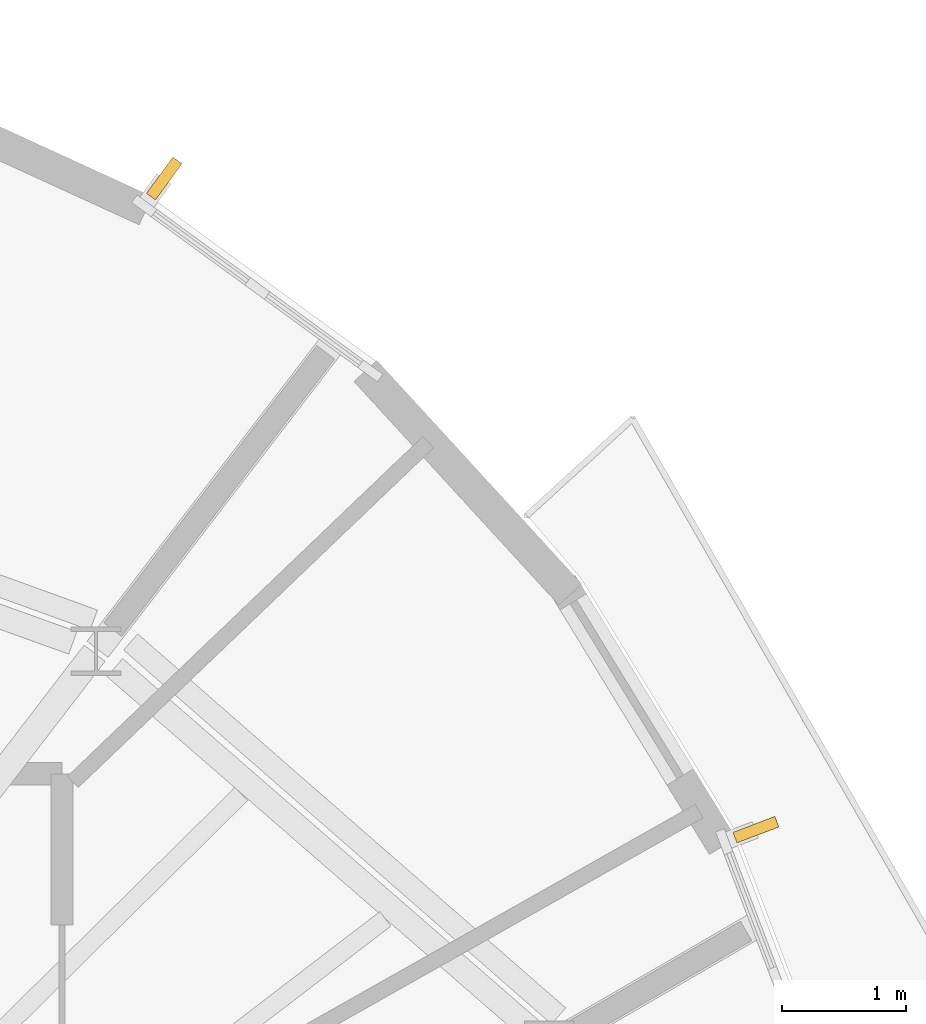
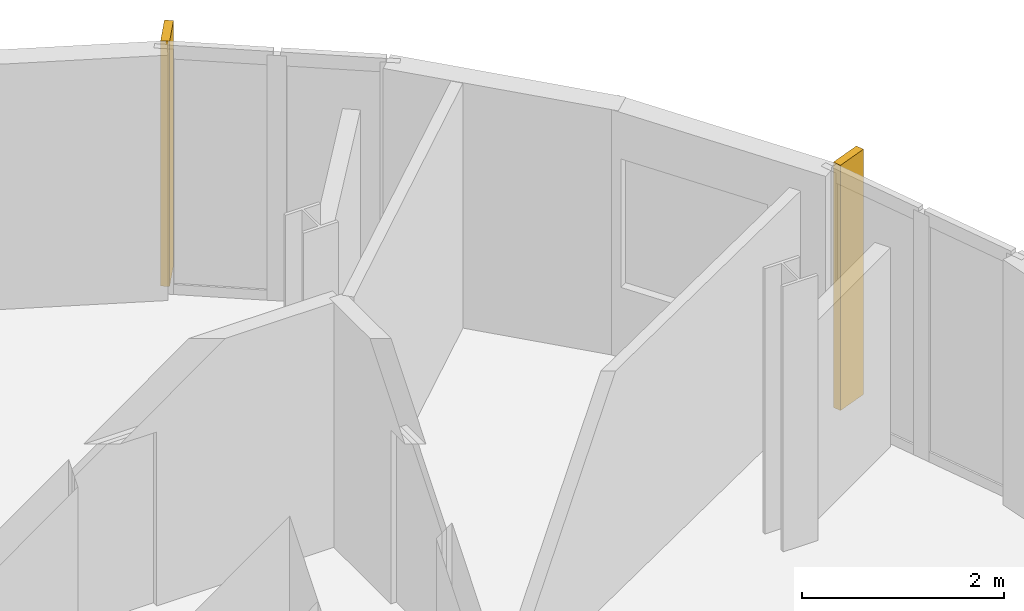
# One storey, part 11 of 11: 2 shading devices.
"""IFC4 building model written with IfcOpenShell, lengths in metres."""

from ifc_helpers import new_model, si_unit, direction, frame, origin, origin_2d, place, context, subcontext, project, spatial, rectangle, extrude, material, layer, layer_set, type_object, element, save


model = new_model("IFC4")

# Units and contexts
model_context = context("Model", 3, precision=1e-05, world=origin(), true_north=direction((0.0, 1.0)))
body_context = subcontext(model_context, "Body", "Model", "MODEL_VIEW")
ifc_project = project(units=[si_unit("LENGTHUNIT", "METRE"), si_unit("AREAUNIT", "SQUARE_METRE"), si_unit("VOLUMEUNIT", "CUBIC_METRE"), si_unit("PLANEANGLEUNIT", "RADIAN"), si_unit("MASSUNIT", "GRAM", prefix="KILO")], contexts=[model_context])

# Site, building, storey
site_placement = place(None, origin())
site = spatial("IfcSite", under=ifc_project, at=site_placement, CompositionType="ELEMENT")
building_placement = place(site_placement, origin())
building = spatial("IfcBuilding", under=site, at=building_placement, Name="Veldorim Arch Residences", CompositionType="ELEMENT")
storey_placement = place(building_placement, frame((0.0, 0.0, 236.639892578125)))
storey = spatial("IfcBuildingStorey", under=building, at=storey_placement, Name="L71", CompositionType="ELEMENT", Elevation=236.639892578125)

# Shading devices
ifc_material = material(Name="Terracotta Ceramic", Category="masonry")
ifc_layer = layer(ifc_material, 0.090087890625, Name="Vertical Extruded Terracotta Baguette Sun-Shading Fin")
ifc_layer_set = layer_set([ifc_layer], Name="Terracotta Ceramic")
shading_device_type = type_object("IfcShadingDeviceType", Name="Vertical Extruded Terracotta Baguette Sun-Shading Fin", PredefinedType="USERDEFINED", material=ifc_layer_set)
for number, where, z_axis, x_axis, name in (
    (1, (44.636474609375, 32.111572265625, 0.000244140625), (0.0, 0.0, 1.0), (0.354943799141, -0.934887640014, 0.0), "L71 vertical terracotta sun-shading fin 33"),
    (2, (39.881103515625, 37.344482421875, 0.000244140625), (0.0, 0.0, 1.0), (0.807887037428, -0.589337369217, 0.0), "L71 vertical terracotta sun-shading fin 36"),
):
    element("IfcShadingDevice", number, at=place(storey_placement, frame(where, z_axis=z_axis, x_axis=x_axis)), inside=storey, type_object=shading_device_type, Name=name, ObjectType="FIN", PredefinedType="USERDEFINED", context=body_context, shape_type="SweptSolid", body=[
        extrude(rectangle(XDim=0.090087890625, YDim=0.360107421875, at=origin_2d()), origin(), (0.0, 0.0, 1.0), 2.9599609375),
    ])

save(model, "model.ifc")
